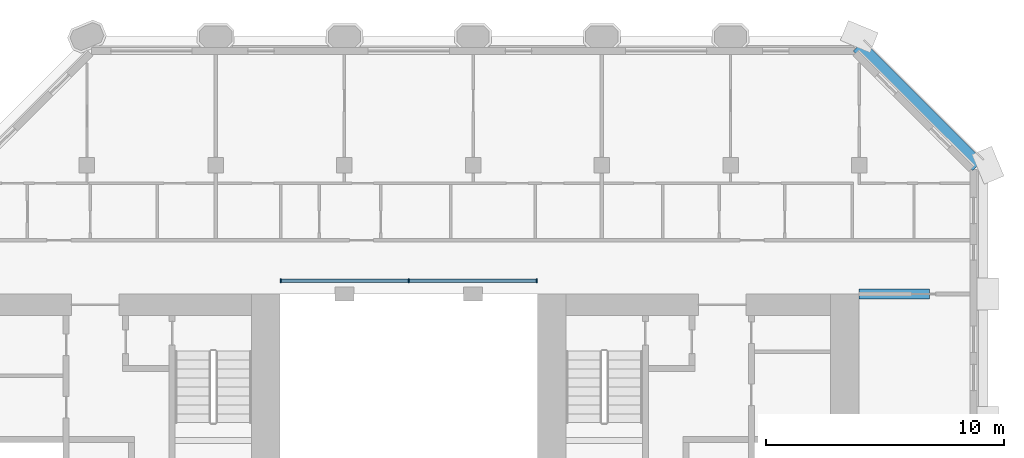
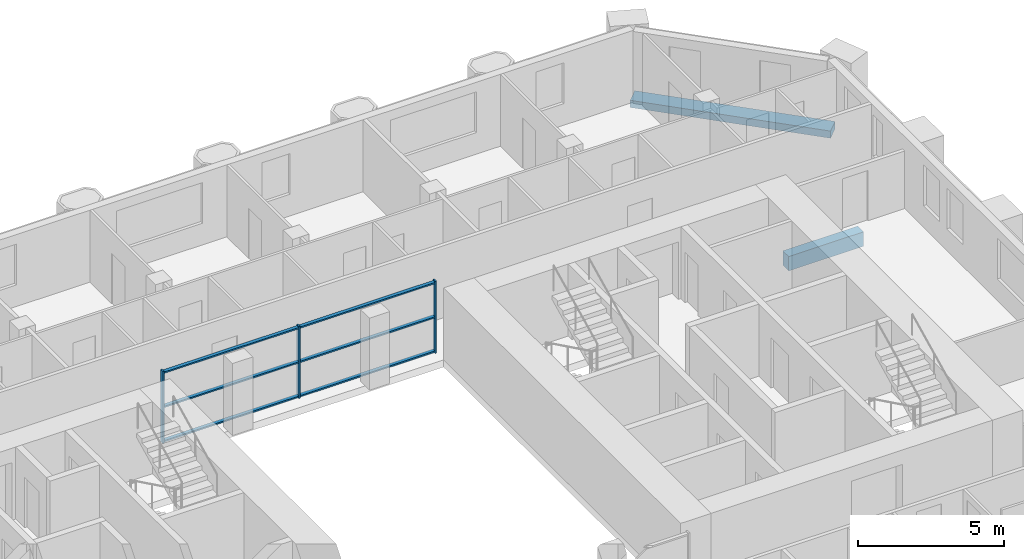
# One storey, part 6 of 16: 9 members, 2 beams, 1 element without a shape of its own.
"""IFC4 building model written with IfcOpenShell, lengths in metres."""

from ifc_helpers import new_model, si_unit, direction, frame, origin, origin_2d, place, context, subcontext, project, spatial, rectangle, extrude, material, material_profile, profile_set, type_object, element, aggregate, save


model = new_model("IFC4")

# Units and contexts
model_context = context("Model", 3, precision=1e-05, world=origin(), true_north=direction((0.0, 1.0)))
body_context = subcontext(model_context, "Body", "Model", "MODEL_VIEW")
ifc_project = project(units=[si_unit("LENGTHUNIT", "METRE"), si_unit("AREAUNIT", "SQUARE_METRE"), si_unit("VOLUMEUNIT", "CUBIC_METRE"), si_unit("PLANEANGLEUNIT", "RADIAN"), si_unit("MASSUNIT", "GRAM", prefix="KILO")], contexts=[model_context])

# Site, building, storey
site_placement = place(None, origin())
site = spatial("IfcSite", under=ifc_project, at=site_placement, CompositionType="ELEMENT")
building_placement = place(site_placement, origin())
building = spatial("IfcBuilding", under=site, at=building_placement, Name="Tabaq Tower and Sports Hall", CompositionType="ELEMENT")
storey_placement = place(building_placement, frame((0.0, 0.0, 268.60009765625)))
storey = spatial("IfcBuildingStorey", under=building, at=storey_placement, Name="L65", CompositionType="ELEMENT", Elevation=268.60009765625)

# Curtain wall, members
ifc_material_1 = material(Name="Aluminium alloy 6063-T6 framed glazing", Category="aluminium")
curtain_wall_type = type_object("IfcCurtainWallType", Name="CW1 curtain wall", PredefinedType="USERDEFINED", material=ifc_material_1)
curtain_wall_placement = place(storey_placement, origin())
curtain_wall = element("IfcCurtainWall", 1, at=curtain_wall_placement, inside=storey, type_object=curtain_wall_type, Name="Atrium glazing L65 N", ObjectType="ATRIUM ENCLOSURE", PredefinedType="USERDEFINED")
ifc_material_2 = material(Name="Aluminium alloy 6063-T6", Category="aluminium")
ifc_material_profile_1 = material_profile(ifc_material_2, rectangle(XDim=0.159912109375, YDim=0.06005859375, at=origin_2d()), Name="MULLION 160x60")
ifc_profile_set_1 = profile_set([ifc_material_profile_1], Name="Aluminium alloy 6063-T6")
member_type_1 = type_object("IfcMemberType", Name="CW1 mullion 160x60", PredefinedType="MULLION", material=ifc_profile_set_1)
member_1_placement = place(storey_placement, frame((18.929931640625, 32.949951171875, 0.0), z_axis=(0.0, 0.0, 1.0), x_axis=(0.0, 1.0, 0.0)))
member_1 = element("IfcMember", 2, at=member_1_placement, type_object=member_type_1, Name="CW1 mullion 1", PredefinedType="MULLION", context=body_context, shape_type="SweptSolid", body=[
    extrude(rectangle(XDim=0.159912109375, YDim=0.06005859375, at=origin_2d()), origin(), (0.0, 0.0, 1.0), 3.0),
])
member_2_placement = place(storey_placement, frame((24.300048828125, 32.949951171875, 0.0), z_axis=(0.0, 0.0, 1.0), x_axis=(0.0, 1.0, 0.0)))
member_2 = element("IfcMember", 3, at=member_2_placement, type_object=member_type_1, Name="CW1 mullion 2", PredefinedType="MULLION", context=body_context, shape_type="SweptSolid", body=[
    extrude(rectangle(XDim=0.159912109375, YDim=0.06005859375, at=origin_2d()), origin(), (0.0, 0.0, 1.0), 3.0),
])
member_3_placement = place(storey_placement, frame((29.669921875, 32.949951171875, 0.0), z_axis=(0.0, 0.0, 1.0), x_axis=(0.0, 1.0, 0.0)))
member_3 = element("IfcMember", 4, at=member_3_placement, type_object=member_type_1, Name="CW1 mullion 3", PredefinedType="MULLION", context=body_context, shape_type="SweptSolid", body=[
    extrude(rectangle(XDim=0.159912109375, YDim=0.06005859375, at=origin_2d()), origin(), (0.0, 0.0, 1.0), 3.0),
])
ifc_material_3 = material(Name="Aluminium alloy 6063-T6", Category="aluminium")
ifc_material_profile_2 = material_profile(ifc_material_3, rectangle(XDim=0.139892578125, YDim=0.06005859375, at=origin_2d()), Name="TRANSOM 140x60")
ifc_profile_set_2 = profile_set([ifc_material_profile_2], Name="Aluminium alloy 6063-T6")
member_type_2 = type_object("IfcMemberType", Name="CW1 transom 140x60", PredefinedType="USERDEFINED", material=ifc_profile_set_2)
member_4_placement = place(storey_placement, frame((18.9599609375, 32.949951171875, 0.06982421875), z_axis=(1.0, 0.0, 0.0), x_axis=(0.0, 1.0, 0.0)))
member_4 = element("IfcMember", 5, at=member_4_placement, type_object=member_type_2, Name="CW1 transom 1.1", ObjectType="TRANSOM", PredefinedType="USERDEFINED", context=body_context, shape_type="SweptSolid", body=[
    extrude(rectangle(XDim=0.139892578125, YDim=0.06005859375, at=origin_2d()), origin(), (0.0, 0.0, 1.0), 5.31005859375),
])
member_5_placement = place(storey_placement, frame((18.9599609375, 32.949951171875, 1.5), z_axis=(1.0, 0.0, 0.0), x_axis=(0.0, 1.0, 0.0)))
member_5 = element("IfcMember", 6, at=member_5_placement, type_object=member_type_2, Name="CW1 transom 1.2", ObjectType="TRANSOM", PredefinedType="USERDEFINED", context=body_context, shape_type="SweptSolid", body=[
    extrude(rectangle(XDim=0.139892578125, YDim=0.06005859375, at=origin_2d()), origin(), (0.0, 0.0, 1.0), 5.31005859375),
])
member_6_placement = place(storey_placement, frame((18.9599609375, 32.949951171875, 2.929931640625), z_axis=(1.0, 0.0, 0.0), x_axis=(0.0, 1.0, 0.0)))
member_6 = element("IfcMember", 7, at=member_6_placement, type_object=member_type_2, Name="CW1 transom 1.3", ObjectType="TRANSOM", PredefinedType="USERDEFINED", context=body_context, shape_type="SweptSolid", body=[
    extrude(rectangle(XDim=0.139892578125, YDim=0.06005859375, at=origin_2d()), origin(), (0.0, 0.0, 1.0), 5.31005859375),
])
member_7_placement = place(storey_placement, frame((24.330078125, 32.949951171875, 0.06982421875), z_axis=(1.0, 0.0, 0.0), x_axis=(0.0, 1.0, 0.0)))
member_7 = element("IfcMember", 8, at=member_7_placement, type_object=member_type_2, Name="CW1 transom 2.1", ObjectType="TRANSOM", PredefinedType="USERDEFINED", context=body_context, shape_type="SweptSolid", body=[
    extrude(rectangle(XDim=0.139892578125, YDim=0.06005859375, at=origin_2d()), origin(), (0.0, 0.0, 1.0), 5.309814453125),
])
member_8_placement = place(storey_placement, frame((24.330078125, 32.949951171875, 1.5), z_axis=(1.0, 0.0, 0.0), x_axis=(0.0, 1.0, 0.0)))
member_8 = element("IfcMember", 9, at=member_8_placement, type_object=member_type_2, Name="CW1 transom 2.2", ObjectType="TRANSOM", PredefinedType="USERDEFINED", context=body_context, shape_type="SweptSolid", body=[
    extrude(rectangle(XDim=0.139892578125, YDim=0.06005859375, at=origin_2d()), origin(), (0.0, 0.0, 1.0), 5.309814453125),
])
member_9_placement = place(storey_placement, frame((24.330078125, 32.949951171875, 2.929931640625), z_axis=(1.0, 0.0, 0.0), x_axis=(0.0, 1.0, 0.0)))
member_9 = element("IfcMember", 10, at=member_9_placement, type_object=member_type_2, Name="CW1 transom 2.3", ObjectType="TRANSOM", PredefinedType="USERDEFINED", context=body_context, shape_type="SweptSolid", body=[
    extrude(rectangle(XDim=0.139892578125, YDim=0.06005859375, at=origin_2d()), origin(), (0.0, 0.0, 1.0), 5.309814453125),
])
aggregate(curtain_wall, [member_1, member_2, member_3, member_4, member_5, member_6, member_7, member_8, member_9])

# Beams
ifc_material_4 = material(Name="Concrete C40/50", Category="concrete")
ifc_material_profile_3 = material_profile(ifc_material_4, rectangle(XDim=0.39990234375, YDim=0.60009765625, at=origin_2d()), Name="CB 400x600")
ifc_profile_set_3 = profile_set([ifc_material_profile_3], Name="Concrete C40/50")
beam_type_1 = type_object("IfcBeamType", Name="PT CANTILEVER BEAM CB 400x600 C40/50", PredefinedType="BEAM", material=ifc_profile_set_3)
beam_1_placement = place(storey_placement, frame((46.14990234375, 32.39990234375, -0.60009765625), z_axis=(-1.0, 0.0, 0.0), x_axis=(0.0, -1.0, 0.0)))
element("IfcBeam", 11, at=beam_1_placement, inside=storey, type_object=beam_type_1, Name="Cantilever Beam L65 E6 span 1", PredefinedType="BEAM", context=body_context, shape_type="SweptSolid", body=[
    extrude(rectangle(XDim=0.39990234375, YDim=0.60009765625, at=origin_2d()), origin(), (0.0, 0.0, 1.0), 2.949951171875),
])
ifc_material_5 = material(Name="Concrete C40/50", Category="concrete")
ifc_material_profile_4 = material_profile(ifc_material_5, rectangle(XDim=0.60009765625, YDim=0.300048828125, at=origin_2d()), Name="EB 600x300")
ifc_profile_set_4 = profile_set([ifc_material_profile_4], Name="Concrete C40/50")
beam_type_2 = type_object("IfcBeamType", Name="PT EDGE BEAM EB 600x300 C40/50", PredefinedType="SPANDREL", material=ifc_profile_set_4)
beam_2_placement = place(storey_placement, frame((48.1767578125, 37.799072265625, -0.150146484375), z_axis=(-0.707124002701, 0.707089559252, 0.0), x_axis=(-0.707089559252, -0.707124002701, 0.0)))
element("IfcBeam", 12, at=beam_2_placement, inside=storey, type_object=beam_type_2, Name="Edge Beam L65 4", PredefinedType="SPANDREL", context=body_context, shape_type="SweptSolid", body=[
    extrude(rectangle(XDim=0.60009765625, YDim=0.300048828125, at=origin_2d()), origin(), (0.0, 0.0, 1.0), 7.088134765625),
])

save(model, "model.ifc")
